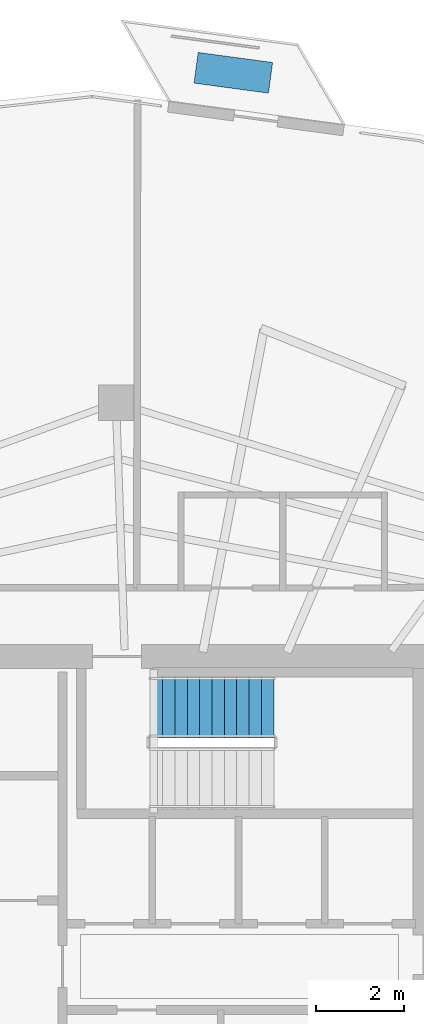
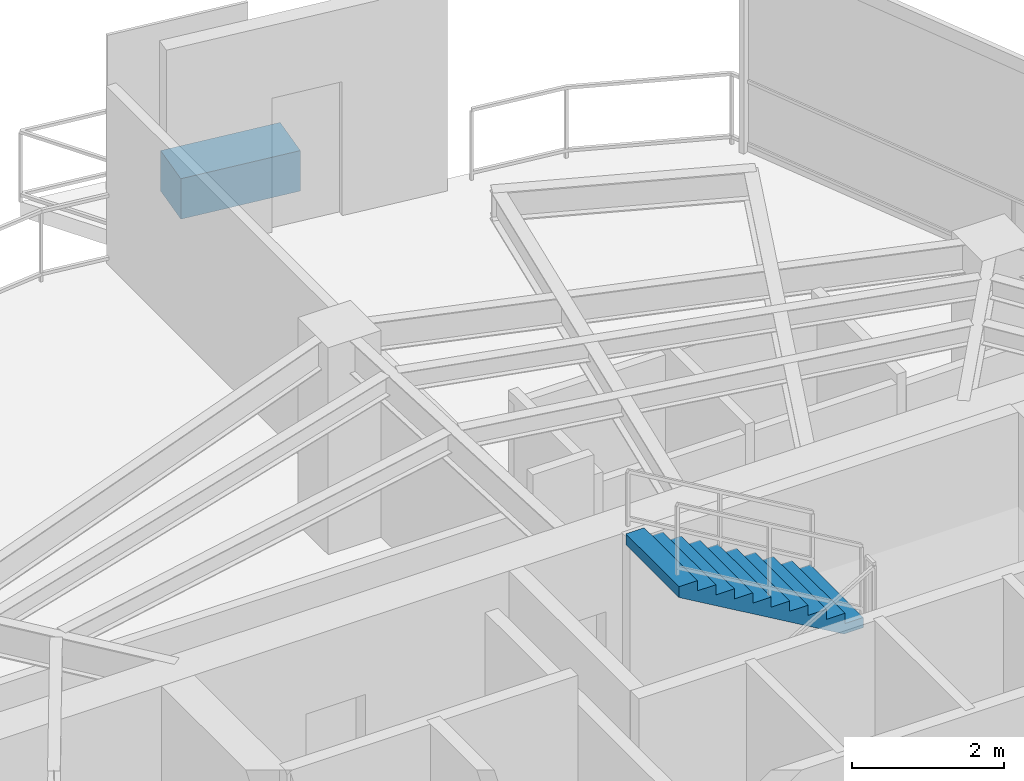
# One storey, part 17 of 19: 1 discrete accessory, 1 stair flight, 1 element without a shape of its own.
"""IFC4 building model written with IfcOpenShell, lengths in metres."""

from ifc_helpers import new_model, si_unit, direction, frame, origin, origin_2d, place, context, subcontext, project, spatial, polyline, rectangle, outline, extrude, material, type_object, element, aggregate, save


model = new_model("IFC4")

# Units and contexts
model_context = context("Model", 3, precision=1e-05, world=origin(), true_north=direction((0.0, 1.0)))
body_context = subcontext(model_context, "Body", "Model", "MODEL_VIEW")
ifc_project = project(units=[si_unit("LENGTHUNIT", "METRE"), si_unit("AREAUNIT", "SQUARE_METRE"), si_unit("VOLUMEUNIT", "CUBIC_METRE"), si_unit("PLANEANGLEUNIT", "RADIAN"), si_unit("MASSUNIT", "GRAM", prefix="KILO")], contexts=[model_context])

# Site, building, storey
site_placement = place(None, origin())
site = spatial("IfcSite", under=ifc_project, at=site_placement, CompositionType="ELEMENT")
building_placement = place(site_placement, origin())
building = spatial("IfcBuilding", under=site, at=building_placement, Name="Qarnah Convention Tower", CompositionType="ELEMENT")
storey_placement = place(building_placement, frame((0.0, 0.0, 264.300048828125)))
storey = spatial("IfcBuildingStorey", under=building, at=storey_placement, Name="L71", CompositionType="ELEMENT", Elevation=264.300048828125)

# Stair, stair flight
ifc_material_1 = material(Name="Concrete C50/60", Category="concrete")
stair_type = type_object("IfcStairType", Name="STR-OFF", PredefinedType="HALF_TURN_STAIR", material=ifc_material_1)
stair_placement = place(storey_placement, origin())
stair = element("IfcStair", 1, at=stair_placement, inside=storey, type_object=stair_type, Name="L71 Core exit stair ST-3", PredefinedType="HALF_TURN_STAIR")
stair_flight_type = type_object("IfcStairFlightType", Name="FLT-OFF", PredefinedType="STRAIGHT", material=ifc_material_1)
stair_flight_placement = place(storey_placement, frame((40.300048828125, 33.050048828125, 1.800048828125), z_axis=(0.0, 0.0, 1.0), x_axis=(-1.0, 0.0, 0.0)))
stair_flight = element("IfcStairFlight", 2, at=stair_flight_placement, type_object=stair_flight_type, Name="ST-3 flight 2", NumberOfRisers=11, NumberOfTreads=10, PredefinedType="STRAIGHT", RiserHeight=0.163636364, TreadLength=0.28, context=body_context, shape_type="SweptSolid", body=[
    extrude(outline(polyline([(0.0, 0.0), (0.0, 0.16357421875), (0.280029296875, 0.16357421875), (0.280029296875, 0.327392578125), (0.56005859375, 0.327392578125), (0.56005859375, 0.490966796875), (0.840087890625, 0.490966796875), (0.840087890625, 0.654541015625), (1.1201171875, 0.654541015625), (1.1201171875, 0.818115234375), (1.39990234375, 0.818115234375), (1.39990234375, 0.98193359375), (1.679931640625, 0.98193359375), (1.679931640625, 1.1455078125), (1.9599609375, 1.1455078125), (1.9599609375, 1.30908203125), (2.239990234375, 1.30908203125), (2.239990234375, 1.47265625), (2.52001953125, 1.47265625), (2.52001953125, 1.636474609375), (2.800048828125, 1.636474609375), (2.800048828125, 1.800048828125), (2.800048828125, 1.462646484375), (0.297119140625, 0.0), (0.0, 0.0)])), frame((0.0, 0.699951171875, 0.0), z_axis=(0.0, -1.0, 0.0), x_axis=(1.0, 0.0, 0.0)), (0.0, 0.0, 1.0), 1.39990234375),
])
aggregate(stair, [stair_flight])

# Discrete accessory
ifc_material_2 = material(Name="Precast concrete C45/55", Category="concrete")
discrete_accessory_type = type_object("IfcDiscreteAccessoryType", Name="ACC-PLANTER-900", PredefinedType="USERDEFINED", material=ifc_material_2)
discrete_accessory_placement = place(storey_placement, frame((39.382080078125, 47.404052734375, 0.0), z_axis=(0.0, 0.0, 1.0), x_axis=(-0.991053218872, 0.133467289485, 0.0)))
element("IfcDiscreteAccessory", 3, at=discrete_accessory_placement, inside=storey, type_object=discrete_accessory_type, Name="L71 irrigated desert balcony PLANTER BAL-L71-C1", ObjectType="PLANTER", PredefinedType="USERDEFINED", context=body_context, shape_type="SweptSolid", body=[
    extrude(rectangle(XDim=1.699951171875, YDim=0.699951171875, at=origin_2d()), origin(), (0.0, 0.0, 1.0), 0.64990234375),
])

save(model, "model.ifc")
